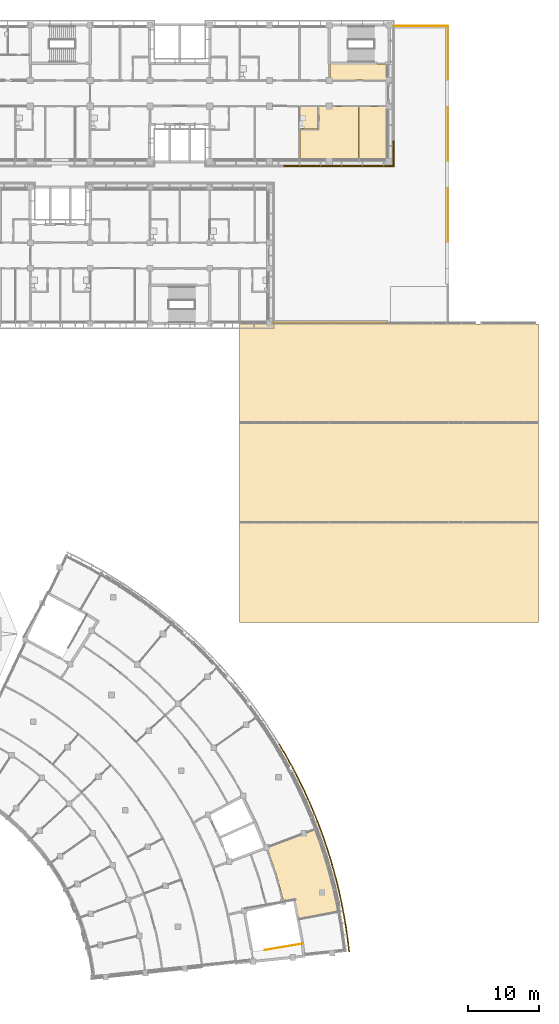
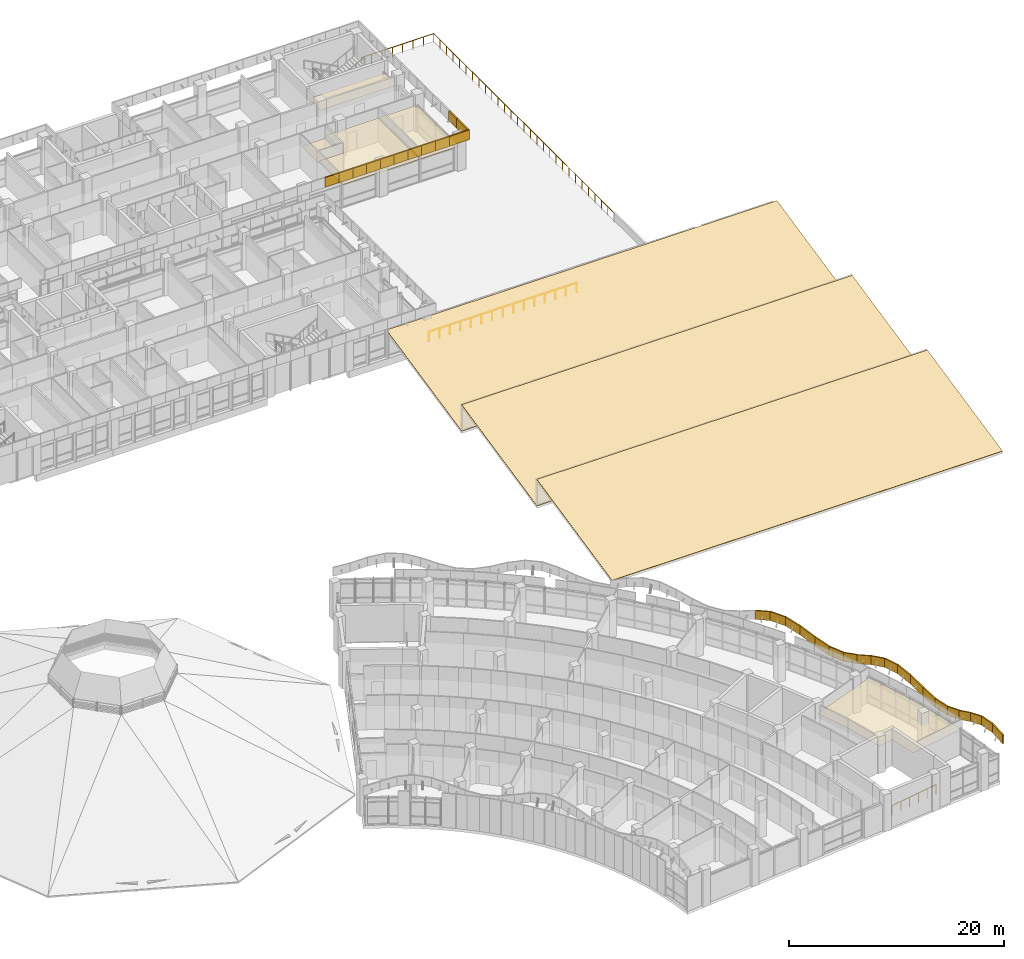
# One storey, part 132 of 137: 39 coverings, 3 railings.
"""IFC4 building model written with IfcOpenShell, lengths in metres."""

import ifcopenshell
import ifcopenshell.guid

model = None  # the IFC model being written
_history = None  # IfcOwnerHistory: only IFC2X3 demands one
_inside = {}  # id of a spatial element -> (the spatial element, [elements in it])
_under = {}  # id of a project, library or spatial element -> (it, [spatial elements below it])
_declared = {}  # id of a project -> (the project, [libraries it declares])
_typed = {}  # id of a type object -> (the type object, [elements of that type])
_made_of = {}  # id of a material, layer set ... -> (it, [elements and type objects made of it])


def new_model(schema):
    """Start an empty IFC model of exactly this schema.

    Asked for "IFC4X3", IfcOpenShell would pick the latest addendum, in which some entities
    have other attributes; the version numbers below select the first issue.
    IFC2X3 requires an IfcOwnerHistory on every rooted entity: one is made here for all.
    """
    global model, _history
    if schema == "IFC4X3":
        model = ifcopenshell.file(schema_version=(4, 3, 0, 0))
    else:
        model = ifcopenshell.file(schema=schema)
    _inside.clear()
    _under.clear()
    _declared.clear()
    _typed.clear()
    _made_of.clear()
    _history = None
    if model.schema == "IFC2X3":
        org = make("IfcOrganization", Name="unknown")
        user = make(
            "IfcPersonAndOrganization",
            ThePerson=make("IfcPerson", FamilyName="unknown"),
            TheOrganization=org,
        )
        app = make(
            "IfcApplication",
            ApplicationDeveloper=org,
            Version="unknown",
            ApplicationFullName="unknown",
            ApplicationIdentifier="unknown",
        )
        _history = make(
            "IfcOwnerHistory",
            OwningUser=user,
            OwningApplication=app,
            ChangeAction="ADDED",
            CreationDate=0,
        )
    return model


def make(cls, **values):
    """One entity of the class cls with the attributes given. An attribute that is None is left unset."""
    return model.create_entity(
        cls, **{name: value for name, value in values.items() if value is not None}
    )


def rooted(cls, **values):
    """An entity with a GlobalId (a new one), such as an element, a storey or a relation."""
    return make(cls, GlobalId=ifcopenshell.guid.new(), OwnerHistory=_history, **values)


def si_unit(unit_type, name, prefix=None):
    """IfcSIUnit, for example si_unit("LENGTHUNIT", "METRE", prefix="MILLI")."""
    return make("IfcSIUnit", UnitType=unit_type, Prefix=prefix, Name=name)


def assignment(units):
    """IfcUnitAssignment: the units of a project."""
    return None if units is None else make("IfcUnitAssignment", Units=units)


def point(xyz):
    """IfcCartesianPoint."""
    return None if xyz is None else make("IfcCartesianPoint", Coordinates=xyz)


def direction(xyz):
    """IfcDirection."""
    return None if xyz is None else make("IfcDirection", DirectionRatios=xyz)


def frame(location, z_axis=None, x_axis=None):
    """IfcAxis2Placement3D, a coordinate frame: its origin and axes. An axis left out is left unset."""
    return make(
        "IfcAxis2Placement3D",
        Location=point(location),
        Axis=direction(z_axis),
        RefDirection=direction(x_axis),
    )


def frame_2d(location, x_axis=None):
    """IfcAxis2Placement2D, a coordinate frame in the plane: its origin and x axis."""
    return make(
        "IfcAxis2Placement2D", Location=point(location), RefDirection=direction(x_axis)
    )


def origin():
    """The frame at (0, 0, 0) with its axes left unset."""
    return frame((0.0, 0.0, 0.0))


def origin_2d():
    """The frame at (0, 0) in the plane with its x axis left unset."""
    return frame_2d((0.0, 0.0))


def place(relative_to, where):
    """IfcLocalPlacement: puts the frame where relative to a parent placement (None: the world)."""
    return make(
        "IfcLocalPlacement", PlacementRelTo=relative_to, RelativePlacement=where
    )


def context(
    kind, dimensions, precision=None, world=None, true_north=None, identifier=None
):
    """IfcGeometricRepresentationContext, for example the 3D "Model" context."""
    return make(
        "IfcGeometricRepresentationContext",
        ContextIdentifier=identifier,
        ContextType=kind,
        CoordinateSpaceDimension=dimensions,
        Precision=precision,
        WorldCoordinateSystem=world,
        TrueNorth=true_north,
    )


def subcontext(parent, identifier, kind, view, scale=None):
    """IfcGeometricRepresentationSubContext, for example "Body" below "Model"."""
    return make(
        "IfcGeometricRepresentationSubContext",
        ContextIdentifier=identifier,
        ContextType=kind,
        ParentContext=parent,
        TargetScale=scale,
        TargetView=view,
    )


def project(units=None, contexts=None):
    """IfcProject with its units and contexts."""
    return rooted(
        "IfcProject",
        Name="project",
        RepresentationContexts=contexts,
        UnitsInContext=assignment(units),
    )


def spatial(cls, under=None, at=None, **own):
    """A site, building, storey or space (cls), placed at a placement, below another one or the project."""
    s = rooted(cls, ObjectPlacement=at, **own)
    if under is not None:
        _under.setdefault(under.id(), (under, []))[1].append(s)
    return s


def polyline(points):
    """IfcPolyline through the points."""
    return make("IfcPolyline", Points=[point(p) for p in points])


def profile(cls, at=None, kind="AREA", **sizes):
    """A parametric profile (cls). Its sizes go by their IFC names, for example OverallWidth=200.0."""
    return make(cls, ProfileType=kind, Position=at, **sizes)


def circle(**sizes):
    """IfcCircleProfileDef."""
    return profile("IfcCircleProfileDef", **sizes)


def outline(outer, holes=None, kind="AREA"):
    """IfcArbitraryClosedProfileDef: a profile drawn as a closed curve; with holes, ...WithVoids."""
    if holes is None:
        return make("IfcArbitraryClosedProfileDef", ProfileType=kind, OuterCurve=outer)
    return make(
        "IfcArbitraryProfileDefWithVoids",
        ProfileType=kind,
        OuterCurve=outer,
        InnerCurves=holes,
    )


def extrude(swept, where, along, depth):
    """IfcExtrudedAreaSolid: the profile swept, set in the frame where, extruded along a direction by depth."""
    return make(
        "IfcExtrudedAreaSolid",
        SweptArea=swept,
        Position=where,
        ExtrudedDirection=direction(along),
        Depth=depth,
    )


def shape(context_of_items, identifier, shape_type, items):
    """IfcShapeRepresentation: the items that make up one representation, for example the "Body"."""
    return make(
        "IfcShapeRepresentation",
        ContextOfItems=context_of_items,
        RepresentationIdentifier=identifier,
        RepresentationType=shape_type,
        Items=items,
    )


def material(Name=None, Category=None):
    """IfcMaterial."""
    return make("IfcMaterial", Name=Name, Category=Category)


def layer(
    of_material, thickness, ventilated=None, Name=None, Category=None, Priority=None
):
    """IfcMaterialLayer: one layer of a wall or slab, of a material (None: an air gap)."""
    return make(
        "IfcMaterialLayer",
        Material=of_material,
        LayerThickness=thickness,
        IsVentilated=ventilated,
        Name=Name,
        Category=Category,
        Priority=Priority,
    )


def layer_set(layers, Name=None):
    """IfcMaterialLayerSet."""
    return make("IfcMaterialLayerSet", MaterialLayers=layers, LayerSetName=Name)


def made_of(thing, what):
    """Note that an element or type object is made of a material, layer set ...; save() writes the relation."""
    if what is not None:
        _made_of.setdefault(what.id(), (what, []))[1].append(thing)
    return thing


def type_object(cls, material=None, **own):
    """A type object (cls), such as IfcWallType, which elements share."""
    return made_of(rooted(cls, **own), material)


def element(
    cls,
    number,
    at=None,
    inside=None,
    cuts=None,
    type_object=None,
    material=None,
    context=None,
    identifier="Body",
    shape_type=None,
    held_by="IfcProductDefinitionShape",
    body=None,
    shapes=None,
    **own,
):
    """One element of the class cls, such as IfcWall. Its Tag is "e" and its number.

    at: its placement. inside: the storey or other place that contains it. cuts: it is an
    opening in that element (IfcRelVoidsElement). A single representation is given by context,
    identifier, shape_type and body (its items); several are given by shapes. held_by: the class
    of the entity that holds the representations. save() writes the other relations.
    """
    e = rooted(cls, Tag="e%d" % number, ObjectPlacement=at, **own)
    if body is not None:
        shapes = [shape(context, identifier, shape_type, body)]
    if shapes is not None:
        e.Representation = make(held_by, Representations=shapes)
    if inside is not None:
        _inside.setdefault(inside.id(), (inside, []))[1].append(e)
    if cuts is not None:
        rooted(
            "IfcRelVoidsElement", RelatingBuildingElement=cuts, RelatedOpeningElement=e
        )
    if type_object is not None:
        _typed.setdefault(type_object.id(), (type_object, []))[1].append(e)
    return made_of(e, material)


def aggregate(whole, parts):
    """IfcRelAggregates: a whole, such as a stair, and the parts it consists of."""
    return rooted("IfcRelAggregates", RelatingObject=whole, RelatedObjects=parts)


def save(model, path):
    """Write the relations noted so far, then the file.

    IfcRelAggregates (storeys below a building ...), IfcRelContainedInSpatialStructure (elements
    in a storey), IfcRelDefinesByType, IfcRelAssociatesMaterial and IfcRelDeclares: one each for
    every whole, place, type object, material and project.
    """
    for whole, parts in _under.values():
        aggregate(whole, parts)
    for where, things in _inside.values():
        rooted(
            "IfcRelContainedInSpatialStructure",
            RelatedElements=things,
            RelatingStructure=where,
        )
    for kind, things in _typed.values():
        rooted("IfcRelDefinesByType", RelatedObjects=things, RelatingType=kind)
    for what, things in _made_of.values():
        rooted("IfcRelAssociatesMaterial", RelatedObjects=things, RelatingMaterial=what)
    for by, libraries in _declared.values():
        rooted("IfcRelDeclares", RelatingContext=by, RelatedDefinitions=libraries)
    model.write(path)


model = new_model("IFC4")

# Units and contexts
model_context = context("Model", 3, precision=1e-05, world=origin(), true_north=direction((0.0, 1.0)))
body_context = subcontext(model_context, "Body", "Model", "MODEL_VIEW")
ifc_project = project(units=[si_unit("LENGTHUNIT", "METRE"), si_unit("AREAUNIT", "SQUARE_METRE"), si_unit("VOLUMEUNIT", "CUBIC_METRE"), si_unit("PLANEANGLEUNIT", "RADIAN"), si_unit("MASSUNIT", "GRAM", prefix="KILO")], contexts=[model_context])

# Site, building, storey
site_placement = place(None, origin())
site = spatial("IfcSite", under=ifc_project, at=site_placement, CompositionType="ELEMENT")
building_placement = place(site_placement, origin())
building = spatial("IfcBuilding", under=site, at=building_placement, Name="Bougainvillea Quay General Hospital", CompositionType="ELEMENT")
storey_placement = place(building_placement, frame((0.0, 0.0, 16.800048828125)))
storey = spatial("IfcBuildingStorey", under=building, at=storey_placement, Name="L03", CompositionType="ELEMENT", Elevation=16.800048828125)

# Coverings
ifc_material_1 = material(Name="Powder-coated aluminium fascia, white", Category="aluminium")
ifc_layer_1 = layer(ifc_material_1, 0.14990234375)
ifc_layer_set_1 = layer_set([ifc_layer_1], Name="Powder-coated aluminium fascia, white")
covering_type_1 = type_object("IfcCoveringType", Name="Aluminium fascia band white 150x1100", PredefinedType="CLADDING", material=ifc_layer_set_1)
covering_1_placement = place(storey_placement, frame((169.9765625, 139.85009765625, 3.64990234375), z_axis=(0.0, 0.0, 1.0), x_axis=(1.0, 0.0, 0.0)))
element("IfcCovering", 1, at=covering_1_placement, inside=storey, type_object=covering_type_1, Name="Fascia band white e0 30", PredefinedType="CLADDING", context=body_context, shape_type="SweptSolid", body=[
    extrude(outline(polyline([(0.0, 0.0), (1.482177734375, 0.0), (1.482177734375, -0.150146484375), (0.0, -0.150146484375), (0.0, 0.0)])), origin(), (0.0, 0.0, 1.0), 1.10009765625),
])
for number, where, z_axis, x_axis, name in (
    (2, (171.458740234375, 139.85009765625, 3.64990234375), (0.0, 0.0, 1.0), (1.0, 0.0, 0.0), "Fascia band white e0 31"),
    (3, (172.941162109375, 139.85009765625, 3.64990234375), (0.0, 0.0, 1.0), (1.0, 0.0, 0.0), "Fascia band white e0 32"),
):
    element("IfcCovering", number, at=place(storey_placement, frame(where, z_axis=z_axis, x_axis=x_axis)), inside=storey, type_object=covering_type_1, Name=name, PredefinedType="CLADDING", context=body_context, shape_type="SweptSolid", body=[
        extrude(outline(polyline([(0.0, 0.0), (1.482421875, 0.0), (1.482421875, -0.150146484375), (0.0, -0.150146484375), (0.0, 0.0)])), origin(), (0.0, 0.0, 1.0), 1.10009765625),
    ])
covering_2_placement = place(storey_placement, frame((174.423583984375, 139.85009765625, 3.64990234375), z_axis=(0.0, 0.0, 1.0), x_axis=(1.0, 0.0, 0.0)))
element("IfcCovering", 4, at=covering_2_placement, inside=storey, type_object=covering_type_1, Name="Fascia band white e0 33", PredefinedType="CLADDING", context=body_context, shape_type="SweptSolid", body=[
    extrude(outline(polyline([(0.0, 0.0), (1.482177734375, 0.0), (1.482177734375, -0.150146484375), (0.0, -0.150146484375), (0.0, 0.0)])), origin(), (0.0, 0.0, 1.0), 1.10009765625),
])
for number, where, z_axis, x_axis, name in (
    (5, (175.90576171875, 139.85009765625, 3.64990234375), (0.0, 0.0, 1.0), (1.0, 0.0, 0.0), "Fascia band white e0 34"),
    (6, (177.38818359375, 139.85009765625, 3.64990234375), (0.0, 0.0, 1.0), (1.0, 0.0, 0.0), "Fascia band white e0 35"),
    (7, (178.87060546875, 139.85009765625, 3.64990234375), (0.0, 0.0, 1.0), (1.0, 0.0, 0.0), "Fascia band white e0 36"),
):
    element("IfcCovering", number, at=place(storey_placement, frame(where, z_axis=z_axis, x_axis=x_axis)), inside=storey, type_object=covering_type_1, Name=name, PredefinedType="CLADDING", context=body_context, shape_type="SweptSolid", body=[
        extrude(outline(polyline([(0.0, 0.0), (1.482421875, 0.0), (1.482421875, -0.150146484375), (0.0, -0.150146484375), (0.0, 0.0)])), origin(), (0.0, 0.0, 1.0), 1.10009765625),
    ])
covering_3_placement = place(storey_placement, frame((180.35302734375, 139.85009765625, 3.64990234375), z_axis=(0.0, 0.0, 1.0), x_axis=(1.0, 0.0, 0.0)))
element("IfcCovering", 8, at=covering_3_placement, inside=storey, type_object=covering_type_1, Name="Fascia band white e0 37", PredefinedType="CLADDING", context=body_context, shape_type="SweptSolid", body=[
    extrude(outline(polyline([(0.0, 0.0), (1.482177734375, 0.0), (1.482177734375, -0.150146484375), (0.0, -0.150146484375), (0.0, 0.0)])), origin(), (0.0, 0.0, 1.0), 1.10009765625),
])
covering_4_placement = place(storey_placement, frame((181.835205078125, 139.85009765625, 3.64990234375), z_axis=(0.0, 0.0, 1.0), x_axis=(1.0, 0.0, 0.0)))
element("IfcCovering", 9, at=covering_4_placement, inside=storey, type_object=covering_type_1, Name="Fascia band white e0 38", PredefinedType="CLADDING", context=body_context, shape_type="SweptSolid", body=[
    extrude(outline(polyline([(0.0, 0.0), (1.482421875, 0.0), (1.482421875, -0.150146484375), (0.0, -0.150146484375), (0.0, 0.0)])), origin(), (0.0, 0.0, 1.0), 1.10009765625),
])
covering_5_placement = place(storey_placement, frame((183.317626953125, 139.85009765625, 3.64990234375), z_axis=(0.0, 0.0, 1.0), x_axis=(1.0, 0.0, 0.0)))
element("IfcCovering", 10, at=covering_5_placement, inside=storey, type_object=covering_type_1, Name="Fascia band white e0 39", PredefinedType="CLADDING", context=body_context, shape_type="SweptSolid", body=[
    extrude(outline(polyline([(0.0, 0.0), (2.032470703125, 0.0), (2.182373046875, -0.150146484375), (0.0, -0.150146484375), (0.0, 0.0)])), origin(), (0.0, 0.0, 1.0), 1.10009765625),
])
covering_6_placement = place(storey_placement, frame((185.35009765625, 139.85009765625, 3.64990234375), z_axis=(0.0, 0.0, 1.0), x_axis=(0.0, 1.0, 0.0)))
element("IfcCovering", 11, at=covering_6_placement, inside=storey, type_object=covering_type_1, Name="Fascia band white e0 40", PredefinedType="CLADDING", context=body_context, shape_type="SweptSolid", body=[
    extrude(outline(polyline([(0.0, 0.0), (2.02685546875, 0.0), (2.02685546875, -0.14990234375), (-0.150146484375, -0.14990234375), (0.0, 0.0)])), origin(), (0.0, 0.0, 1.0), 1.10009765625),
])
covering_7_placement = place(storey_placement, frame((185.35009765625, 141.876953125, 3.64990234375), z_axis=(0.0, 0.0, 1.0), x_axis=(0.0, 1.0, 0.0)))
element("IfcCovering", 12, at=covering_7_placement, inside=storey, type_object=covering_type_1, Name="Fascia band white e0 41", PredefinedType="CLADDING", context=body_context, shape_type="SweptSolid", body=[
    extrude(outline(polyline([(0.0, 0.0), (1.476806640625, 0.0), (1.476806640625, -0.14990234375), (0.0, -0.14990234375), (0.0, 0.0)])), origin(), (0.0, 0.0, 1.0), 1.10009765625),
])
ifc_material_2 = material(Name="Powder-coated aluminium fascia, red", Category="aluminium")
ifc_layer_2 = layer(ifc_material_2, 0.14990234375)
ifc_layer_set_2 = layer_set([ifc_layer_2], Name="Powder-coated aluminium fascia, red")
covering_type_2 = type_object("IfcCoveringType", Name="Aluminium wave fascia ribbon red 150x1000", PredefinedType="CLADDING", material=ifc_layer_set_2)
covering_8_placement = place(storey_placement, frame((179.114990234375, 29.351806640625, 4.09521484375), z_axis=(0.026336487624, -0.222182310598, 0.974649378124), x_axis=(-0.113132941126, 0.968061194827, 0.223737481668)))
element("IfcCovering", 13, at=covering_8_placement, inside=storey, type_object=covering_type_2, Name="Fascia ribbon red a14 1", PredefinedType="CLADDING", context=body_context, shape_type="SweptSolid", body=[
    extrude(outline(polyline([(0.0, 0.0), (1.670306707568748, 1.3145951341386741e-17), (1.6719476784162979, -0.15012955996561012), (-6.805401706312317e-05, -0.1499311364603613), (0.0, 0.0)])), origin(), (0.223737481668, 0.000359193413, 0.974649378124), 1.0),
])
covering_9_placement = place(storey_placement, frame((178.926025390625, 30.96875, 4.468994140625), z_axis=(-0.005653779579, 0.040237717826, 0.999174139397), x_axis=(-0.138938170904, 0.989467101788, -0.040632981011)))
element("IfcCovering", 14, at=covering_9_placement, inside=storey, type_object=covering_type_2, Name="Fascia ribbon red a14 2", PredefinedType="CLADDING", context=body_context, shape_type="SweptSolid", body=[
    extrude(outline(polyline([(0.0, 0.0), (1.6324316594315826, -2.1541741914571366e-17), (1.6343078729881122, -0.14991086158264344), (-0.0018490845488235985, -0.15012694004847218), (0.0, 0.0)])), origin(), (-0.040632981011, -3.673979e-06, 0.999174139397), 1.0),
])
covering_10_placement = place(storey_placement, frame((178.69921875, 32.583984375, 4.40234375), z_axis=(-0.044830982763, 0.273040960347, 0.960957239921), x_axis=(-0.155741256284, 0.948252855629, -0.276696915204)))
element("IfcCovering", 15, at=covering_10_placement, inside=storey, type_object=covering_type_2, Name="Fascia ribbon red a14 3", PredefinedType="CLADDING", context=body_context, shape_type="SweptSolid", body=[
    extrude(outline(polyline([(0.0, 0.0), (1.6977080018121655, -5.251604272976662e-18), (1.699379080053145, -0.14994650107524998), (-0.0016847707083750105, -0.14991394757579837), (0.0, 0.0)])), origin(), (-0.276696915204, 1.2634756e-05, 0.960957239921), 1.0),
])
covering_11_placement = place(storey_placement, frame((178.434814453125, 34.19384765625, 3.93212890625), z_axis=(-0.064044750365, 0.340819640707, 0.937944690512), x_axis=(-0.173377950945, 0.921781064924, -0.346784882131)))
element("IfcCovering", 16, at=covering_11_placement, inside=storey, type_object=covering_type_2, Name="Fascia ribbon red a14 4", PredefinedType="CLADDING", context=body_context, shape_type="SweptSolid", body=[
    extrude(outline(polyline([(0.0, 0.0), (1.7390368409590689, 1.1878790052294308e-17), (1.7409970360475628, -0.15014043002569438), (-0.002008110860853608, -0.14994335460490757), (0.0, 0.0)])), origin(), (-0.346784882131, 5.5372754e-05, 0.937944690512), 1.0),
])
covering_12_placement = place(storey_placement, frame((178.13330078125, 35.796875, 3.32861328125), z_axis=(-0.04903638715, 0.22733001949, 0.972582384672), x_axis=(-0.20186565797, 0.951402824061, -0.232557353143)))
element("IfcCovering", 17, at=covering_12_placement, inside=storey, type_object=covering_type_2, Name="Fascia ribbon red a14 5", PredefinedType="CLADDING", context=body_context, shape_type="SweptSolid", body=[
    extrude(outline(polyline([(0.0, 0.0), (1.6774742624058594, 1.1655173354219173e-17), (1.6791351527020228, -0.14984581204008537), (-0.0017261632692913648, -0.15014231532609396), (0.0, 0.0)])), origin(), (-0.232557353143, -0.000763233256, 0.972582384672), 1.0),
])
covering_13_placement = place(storey_placement, frame((177.794677734375, 37.392822265625, 2.9384765625), z_axis=(0.007399393326, -0.027810954647, 0.999585814115), x_axis=(-0.230236764536, 0.972709341497, 0.028767502854)))
element("IfcCovering", 18, at=covering_13_placement, inside=storey, type_object=covering_type_2, Name="Fascia ribbon red a14 6", PredefinedType="CLADDING", context=body_context, shape_type="SweptSolid", body=[
    extrude(outline(polyline([(0.0, 0.0), (1.6319369823199235, 1.4026865606531214e-17), (1.633582458608592, -0.14991794720076418), (-0.0018548676023032954, -0.1498435219483209), (0.0, 0.0)])), origin(), (0.028767502854, 0.000794354793, 0.999585814115), 1.0),
])
covering_14_placement = place(storey_placement, frame((177.4189453125, 38.980224609375, 2.985595703125), z_axis=(0.068059836902, -0.261042406699, 0.962925085614), x_axis=(-0.243397744031, 0.931655663481, 0.269768906483)))
element("IfcCovering", 19, at=covering_14_placement, inside=storey, type_object=covering_type_2, Name="Fascia ribbon red a14 7", PredefinedType="CLADDING", context=body_context, shape_type="SweptSolid", body=[
    extrude(outline(polyline([(0.0, 0.0), (1.6941552849138166, -3.279711571768651e-17), (1.695896713889935, -0.15007126264232437), (-0.0018846569972102534, -0.14991594352680382), (0.0, 0.0)])), origin(), (0.269768906483, -0.000128800382, 0.962925085614), 1.0),
])
covering_15_placement = place(storey_placement, frame((177.006591796875, 40.55859375, 3.443115234375), z_axis=(0.094609139072, -0.334335568561, 0.937693360539), x_axis=(-0.257937911563, 0.901519698479, 0.347462612426)))
element("IfcCovering", 20, at=covering_15_placement, inside=storey, type_object=covering_type_2, Name="Fascia ribbon red a14 8", PredefinedType="CLADDING", context=body_context, shape_type="SweptSolid", body=[
    extrude(outline(polyline([(0.0, 0.0), (1.7396899054797184, 1.4094628242311558e-18), (1.741433275370345, -0.1497692805524778), (-0.0018569129951555782, -0.15006987727497006), (0.0, 0.0)])), origin(), (0.347462612426, -0.000945815786, 0.937693360539), 1.0),
])
covering_16_placement = place(storey_placement, frame((176.557861328125, 42.126953125, 4.04833984375), z_axis=(0.072295978103, -0.229678368713, 0.970577734391), x_axis=(-0.288779497013, 0.926621811922, 0.240787083907)))
element("IfcCovering", 21, at=covering_16_placement, inside=storey, type_object=covering_type_2, Name="Fascia ribbon red a14 9", PredefinedType="CLADDING", context=body_context, shape_type="SweptSolid", body=[
    extrude(outline(polyline([(0.0, 0.0), (1.6807224520083506, -7.768308565858639e-17), (1.6825200412653107, -0.15015574289007727), (-0.001983667315691713, -0.14976526847951774), (0.0, 0.0)])), origin(), (0.240787083907, 0.000664626433, 0.970577734391), 1.0),
])
covering_17_placement = place(storey_placement, frame((176.072509765625, 43.684326171875, 4.453125), z_axis=(-0.006145896549, 0.015674583262, 0.999858257652), x_axis=(-0.319323629981, 0.947496503305, -0.016816526441)))
element("IfcCovering", 22, at=covering_17_placement, inside=storey, type_object=covering_type_2, Name="Fascia ribbon red a14 10", PredefinedType="CLADDING", context=body_context, shape_type="SweptSolid", body=[
    extrude(outline(polyline([(0.0, 0.0), (1.6315595547521518, 8.595012722378836e-17), (1.633301274669612, -0.15001402598422733), (-0.0016593760833463385, -0.15015733275995988), (0.0, 0.0)])), origin(), (-0.016816526441, -0.000817950664, 0.999858257652), 1.0),
])
covering_18_placement = place(storey_placement, frame((175.551513671875, 45.230224609375, 4.425537109375), z_axis=(-0.089541431954, 0.246826620303, 0.964913960659), x_axis=(-0.329416361602, 0.906942016973, -0.262566255559)))
element("IfcCovering", 23, at=covering_18_placement, inside=storey, type_object=covering_type_2, Name="Fascia ribbon red a14 11", PredefinedType="CLADDING", context=body_context, shape_type="SweptSolid", body=[
    extrude(outline(polyline([(0.0, 0.0), (1.6905127050804165, 9.589768215634287e-17), (1.692224179752352, -0.1499500204843006), (-0.001825535350254706, -0.15001385113704058), (0.0, 0.0)])), origin(), (-0.262566255559, 9.9840308e-05, 0.964913960659), 1.0),
])
covering_19_placement = place(storey_placement, frame((174.99462890625, 46.763427734375, 3.98095703125), z_axis=(-0.126259094364, 0.324140500106, 0.937545506779), x_axis=(-0.340392095025, 0.873570146252, -0.347862647063)))
element("IfcCovering", 24, at=covering_19_placement, inside=storey, type_object=covering_type_2, Name="Fascia ribbon red a14 12", PredefinedType="CLADDING", context=body_context, shape_type="SweptSolid", body=[
    extrude(outline(polyline([(0.0, 0.0), (1.7399879040930275, 1.489659903677193e-16), (1.7419266803173041, -0.1500513554955977), (-0.0019721413550769108, -0.14994780420916895), (0.0, 0.0)])), origin(), (-0.347862647063, 3.8688384e-05, 0.937545506779), 1.0),
])
covering_20_placement = place(storey_placement, frame((174.40234375, 48.283447265625, 3.375), z_axis=(-0.095763231593, 0.229588804707, 0.968565116153), x_axis=(-0.372525044331, 0.894060111942, -0.248760140659)))
element("IfcCovering", 25, at=covering_20_placement, inside=storey, type_object=covering_type_2, Name="Fascia ribbon red a14 13", PredefinedType="CLADDING", context=body_context, shape_type="SweptSolid", body=[
    extrude(outline(polyline([(0.0, 0.0), (1.6842833339255225, 3.495196753550145e-17), (1.6861510103123405, -0.14992112085523618), (-0.0017585375496728952, -0.15005258838684024), (0.0, 0.0)])), origin(), (-0.248760140659, -9.0505906e-05, 0.968565116153), 1.0),
])
covering_21_placement = place(storey_placement, frame((173.77490234375, 49.789306640625, 2.955810546875), z_axis=(0.00194421013, -0.004371550634, 0.999988554731), x_axis=(-0.405911611583, 0.913899815724, 0.004784391544)))
element("IfcCovering", 26, at=covering_21_placement, inside=storey, type_object=covering_type_2, Name="Fascia ribbon red a14 14", PredefinedType="CLADDING", context=body_context, shape_type="SweptSolid", body=[
    extrude(outline(polyline([(0.0, 0.0), (1.6311664223512834, -7.921452122722217e-18), (1.6329876317170537, -0.14987219135777036), (-0.0016739486600854253, -0.14992261863970852), (0.0, 0.0)])), origin(), (0.004784391544, 2.350117e-06, 0.999988554731), 1.0),
])
covering_22_placement = place(storey_placement, frame((173.11279296875, 51.280029296875, 2.9638671875), z_axis=(0.109003573773, -0.23067232469, 0.966906665365), x_axis=(-0.412973836568, 0.874277479557, 0.255130356973)))
element("IfcCovering", 27, at=covering_22_placement, inside=storey, type_object=covering_type_2, Name="Fascia ribbon red a14 15", PredefinedType="CLADDING", context=body_context, shape_type="SweptSolid", body=[
    extrude(outline(polyline([(0.0, 0.0), (1.6872086622055478, 7.599579602765583e-18), (1.6889948856168175, -0.1501257298940395), (-0.001741852234476532, -0.1498739250911298), (0.0, 0.0)])), origin(), (0.255130356973, 3.7734824e-05, 0.966906665365), 1.0),
])
covering_23_placement = place(storey_placement, frame((172.416015625, 52.755126953125, 3.394775390625), z_axis=(0.156031807551, -0.311214077129, 0.937443264005), x_axis=(-0.419798506755, 0.838193954834, 0.348138058543)))
element("IfcCovering", 28, at=covering_23_placement, inside=storey, type_object=covering_type_2, Name="Fascia ribbon red a14 16", PredefinedType="CLADDING", context=body_context, shape_type="SweptSolid", body=[
    extrude(outline(polyline([(0.0, 0.0), (1.7400240091880317, -1.6490715043504522e-16), (1.7420272134728507, -0.15001872595880264), (-0.0018844762111249178, -0.15012551474299649), (0.0, 0.0)])), origin(), (0.348138058543, 0.000137712991, 0.937443264005), 1.0),
])
covering_24_placement = place(storey_placement, frame((171.685546875, 54.213623046875, 4.0009765625), z_axis=(0.120247245375, -0.226716160551, 0.966509380464), x_axis=(-0.452882317447, 0.853837214629, 0.256631286982)))
element("IfcCovering", 29, at=covering_24_placement, inside=storey, type_object=covering_type_2, Name="Fascia ribbon red a14 17", PredefinedType="CLADDING", context=body_context, shape_type="SweptSolid", body=[
    extrude(outline(polyline([(0.0, 0.0), (1.6878514445773816, -7.458633320342467e-17), (1.6895567551862136, -0.15010006378495913), (-0.0017101839292928225, -0.15002136202594057), (0.0, 0.0)])), origin(), (0.256631286982, -4.167135e-06, 0.966509380464), 1.0),
])
covering_25_placement = place(storey_placement, frame((170.921142578125, 55.65478515625, 4.434326171875), z_axis=(0.003509003405, -0.006258987771, 0.999974255652), x_axis=(-0.488791296859, 0.872371239832, 0.007175515976)))
element("IfcCovering", 30, at=covering_25_placement, inside=storey, type_object=covering_type_2, Name="Fascia ribbon red a14 18", PredefinedType="CLADDING", context=body_context, shape_type="SweptSolid", body=[
    extrude(outline(polyline([(0.0, 0.0), (1.6312960833220003, 9.438996351023021e-17), (1.6331957416958962, -0.149945370945352), (-0.0018237685042003376, -0.15009788533581492), (0.0, 0.0)])), origin(), (0.007175515976, 1.814902e-06, 0.999974255652), 1.0),
])
covering_26_placement = place(storey_placement, frame((170.123779296875, 57.077880859375, 4.44580078125), z_axis=(-0.126069934241, 0.212868882577, 0.968913417448), x_axis=(-0.49313935552, 0.83403046478, -0.247399999709)))
element("IfcCovering", 31, at=covering_26_placement, inside=storey, type_object=covering_type_2, Name="Fascia ribbon red a14 19", PredefinedType="CLADDING", context=body_context, shape_type="SweptSolid", body=[
    extrude(outline(polyline([(0.0, 0.0), (1.6837340285747546, -4.790818349670323e-17), (1.6856022797016967, -0.14996900900245191), (-0.0016595665158406765, -0.14994900645743095), (0.0, 0.0)])), origin(), (-0.247399999709, -0.000172142286, 0.968913417448), 1.0),
])

# Railings
ifc_material_3 = material(Name="Stainless steel guard, brushed grade 316", Category="steel")
railing_type_1 = type_object("IfcRailingType", Name="Stainless steel guard 1100", PredefinedType="GUARDRAIL", material=ifc_material_3)
railing_1_placement = place(storey_placement, frame((184.35009765625, 117.75, 0.0)))
element("IfcRailing", 32, at=railing_1_placement, inside=storey, type_object=railing_type_1, Name="Guard G00", PredefinedType="GUARDRAIL", context=body_context, shape_type="SweptSolid", body=[
    extrude(circle(Radius=0.02392578125, at=origin_2d()), frame((0.0, 0.0, 1.076171875), z_axis=(-1.0, 0.0, 0.0), x_axis=(0.0, -1.0, 0.0)), (0.0, 0.0, 1.0), 15.900146484375),
    extrude(circle(Radius=0.02099609375, at=origin_2d()), origin(), (0.0, 0.0, 1.0), 1.052001953125),
    extrude(circle(Radius=0.02099609375, at=origin_2d()), frame((-1.1357421875, 0.0, 0.0)), (0.0, 0.0, 1.0), 1.052001953125),
    extrude(circle(Radius=0.02099609375, at=origin_2d()), frame((-2.271484375, 0.0, 0.0)), (0.0, 0.0, 1.0), 1.052001953125),
    extrude(circle(Radius=0.02099609375, at=origin_2d()), frame((-3.4072265625, 0.0, 0.0)), (0.0, 0.0, 1.0), 1.052001953125),
    extrude(circle(Radius=0.02099609375, at=origin_2d()), frame((-4.54296875, 0.0, 0.0)), (0.0, 0.0, 1.0), 1.052001953125),
    extrude(circle(Radius=0.02099609375, at=origin_2d()), frame((-5.6787109375, 0.0, 0.0)), (0.0, 0.0, 1.0), 1.052001953125),
    extrude(circle(Radius=0.02099609375, at=origin_2d()), frame((-6.814453125, 0.0, 0.0)), (0.0, 0.0, 1.0), 1.052001953125),
    extrude(circle(Radius=0.02099609375, at=origin_2d()), frame((-7.9501953125, 0.0, 0.0)), (0.0, 0.0, 1.0), 1.052001953125),
    extrude(circle(Radius=0.02099609375, at=origin_2d()), frame((-9.085693359375, 0.0, 0.0)), (0.0, 0.0, 1.0), 1.052001953125),
    extrude(circle(Radius=0.02099609375, at=origin_2d()), frame((-10.221435546875, 0.0, 0.0)), (0.0, 0.0, 1.0), 1.052001953125),
    extrude(circle(Radius=0.02099609375, at=origin_2d()), frame((-11.357177734375, 0.0, 0.0)), (0.0, 0.0, 1.0), 1.052001953125),
    extrude(circle(Radius=0.02099609375, at=origin_2d()), frame((-12.492919921875, 0.0, 0.0)), (0.0, 0.0, 1.0), 1.052001953125),
    extrude(circle(Radius=0.02099609375, at=origin_2d()), frame((-13.628662109375, 0.0, 0.0)), (0.0, 0.0, 1.0), 1.052001953125),
    extrude(circle(Radius=0.02099609375, at=origin_2d()), frame((-14.764404296875, 0.0, 0.0)), (0.0, 0.0, 1.0), 1.052001953125),
    extrude(circle(Radius=0.02099609375, at=origin_2d()), frame((-15.900146484375, 0.0, 0.0)), (0.0, 0.0, 1.0), 1.052001953125),
])
railing_2_placement = place(storey_placement, frame((185.25, 159.449951171875, 0.0)))
element("IfcRailing", 33, at=railing_2_placement, inside=storey, type_object=railing_type_1, Name="Guard G02", PredefinedType="GUARDRAIL", context=body_context, shape_type="SweptSolid", body=[
    extrude(circle(Radius=0.02392578125, at=origin_2d()), frame((0.0, 0.0, 1.076171875), z_axis=(1.0, 0.0, 0.0), x_axis=(0.0, 1.0, 0.0)), (0.0, 0.0, 1.0), 7.800048828125),
    extrude(circle(Radius=0.02392578125, at=origin_2d()), frame((7.800048828125, 0.0, 1.076171875), z_axis=(0.0, -1.0, 0.0), x_axis=(1.0, 0.0, 0.0)), (0.0, 0.0, 1.0), 33.599853515625),
    extrude(circle(Radius=0.02099609375, at=origin_2d()), origin(), (0.0, 0.0, 1.0), 1.052001953125),
    extrude(circle(Radius=0.02099609375, at=origin_2d()), frame((1.1142578125, 0.0, 0.0)), (0.0, 0.0, 1.0), 1.052001953125),
    extrude(circle(Radius=0.02099609375, at=origin_2d()), frame((2.228515625, 0.0, 0.0)), (0.0, 0.0, 1.0), 1.052001953125),
    extrude(circle(Radius=0.02099609375, at=origin_2d()), frame((3.3427734375, 0.0, 0.0)), (0.0, 0.0, 1.0), 1.052001953125),
    extrude(circle(Radius=0.02099609375, at=origin_2d()), frame((4.457275390625, 0.0, 0.0)), (0.0, 0.0, 1.0), 1.052001953125),
    extrude(circle(Radius=0.02099609375, at=origin_2d()), frame((5.571533203125, 0.0, 0.0)), (0.0, 0.0, 1.0), 1.052001953125),
    extrude(circle(Radius=0.02099609375, at=origin_2d()), frame((6.685791015625, 0.0, 0.0)), (0.0, 0.0, 1.0), 1.052001953125),
    extrude(circle(Radius=0.02099609375, at=origin_2d()), frame((7.800048828125, 0.0, 0.0)), (0.0, 0.0, 1.0), 1.052001953125),
    extrude(circle(Radius=0.02099609375, at=origin_2d()), frame((7.800048828125, -1.199951171875, 0.0)), (0.0, 0.0, 1.0), 1.052001953125),
    extrude(circle(Radius=0.02099609375, at=origin_2d()), frame((7.800048828125, -2.39990234375, 0.0)), (0.0, 0.0, 1.0), 1.052001953125),
    extrude(circle(Radius=0.02099609375, at=origin_2d()), frame((7.800048828125, -3.60009765625, 0.0)), (0.0, 0.0, 1.0), 1.052001953125),
    extrude(circle(Radius=0.02099609375, at=origin_2d()), frame((7.800048828125, -4.800048828125, 0.0)), (0.0, 0.0, 1.0), 1.052001953125),
    extrude(circle(Radius=0.02099609375, at=origin_2d()), frame((7.800048828125, -6.0, 0.0)), (0.0, 0.0, 1.0), 1.052001953125),
    extrude(circle(Radius=0.02099609375, at=origin_2d()), frame((7.800048828125, -7.199951171875, 0.0)), (0.0, 0.0, 1.0), 1.052001953125),
    extrude(circle(Radius=0.02099609375, at=origin_2d()), frame((7.800048828125, -8.39990234375, 0.0)), (0.0, 0.0, 1.0), 1.052001953125),
    extrude(circle(Radius=0.02099609375, at=origin_2d()), frame((7.800048828125, -9.599853515625, 0.0)), (0.0, 0.0, 1.0), 1.052001953125),
    extrude(circle(Radius=0.02099609375, at=origin_2d()), frame((7.800048828125, -10.800048828125, 0.0)), (0.0, 0.0, 1.0), 1.052001953125),
    extrude(circle(Radius=0.02099609375, at=origin_2d()), frame((7.800048828125, -12.0, 0.0)), (0.0, 0.0, 1.0), 1.052001953125),
    extrude(circle(Radius=0.02099609375, at=origin_2d()), frame((7.800048828125, -13.199951171875, 0.0)), (0.0, 0.0, 1.0), 1.052001953125),
    extrude(circle(Radius=0.02099609375, at=origin_2d()), frame((7.800048828125, -14.39990234375, 0.0)), (0.0, 0.0, 1.0), 1.052001953125),
    extrude(circle(Radius=0.02099609375, at=origin_2d()), frame((7.800048828125, -15.599853515625, 0.0)), (0.0, 0.0, 1.0), 1.052001953125),
    extrude(circle(Radius=0.02099609375, at=origin_2d()), frame((7.800048828125, -16.7998046875, 0.0)), (0.0, 0.0, 1.0), 1.052001953125),
    extrude(circle(Radius=0.02099609375, at=origin_2d()), frame((7.800048828125, -18.0, 0.0)), (0.0, 0.0, 1.0), 1.052001953125),
    extrude(circle(Radius=0.02099609375, at=origin_2d()), frame((7.800048828125, -19.199951171875, 0.0)), (0.0, 0.0, 1.0), 1.052001953125),
    extrude(circle(Radius=0.02099609375, at=origin_2d()), frame((7.800048828125, -20.39990234375, 0.0)), (0.0, 0.0, 1.0), 1.052001953125),
    extrude(circle(Radius=0.02099609375, at=origin_2d()), frame((7.800048828125, -21.599853515625, 0.0)), (0.0, 0.0, 1.0), 1.052001953125),
    extrude(circle(Radius=0.02099609375, at=origin_2d()), frame((7.800048828125, -22.7998046875, 0.0)), (0.0, 0.0, 1.0), 1.052001953125),
    extrude(circle(Radius=0.02099609375, at=origin_2d()), frame((7.800048828125, -24.0, 0.0)), (0.0, 0.0, 1.0), 1.052001953125),
    extrude(circle(Radius=0.02099609375, at=origin_2d()), frame((7.800048828125, -25.199951171875, 0.0)), (0.0, 0.0, 1.0), 1.052001953125),
    extrude(circle(Radius=0.02099609375, at=origin_2d()), frame((7.800048828125, -26.39990234375, 0.0)), (0.0, 0.0, 1.0), 1.052001953125),
    extrude(circle(Radius=0.02099609375, at=origin_2d()), frame((7.800048828125, -27.599853515625, 0.0)), (0.0, 0.0, 1.0), 1.052001953125),
    extrude(circle(Radius=0.02099609375, at=origin_2d()), frame((7.800048828125, -28.7998046875, 0.0)), (0.0, 0.0, 1.0), 1.052001953125),
    extrude(circle(Radius=0.02099609375, at=origin_2d()), frame((7.800048828125, -29.999755859375, 0.0)), (0.0, 0.0, 1.0), 1.052001953125),
    extrude(circle(Radius=0.02099609375, at=origin_2d()), frame((7.800048828125, -31.199951171875, 0.0)), (0.0, 0.0, 1.0), 1.052001953125),
    extrude(circle(Radius=0.02099609375, at=origin_2d()), frame((7.800048828125, -32.39990234375, 0.0)), (0.0, 0.0, 1.0), 1.052001953125),
    extrude(circle(Radius=0.02099609375, at=origin_2d()), frame((7.800048828125, -33.599853515625, 0.0)), (0.0, 0.0, 1.0), 1.052001953125),
])
ifc_material_4 = material(Name="Stainless steel 304 balustrade", Category="steel")
railing_type_2 = type_object("IfcRailingType", Name="Stair guard 1100", PredefinedType="GUARDRAIL", material=ifc_material_4)
railing_3_placement = place(storey_placement, frame((172.583251953125, 30.4599609375, 0.0)))
element("IfcRailing", 34, at=railing_3_placement, inside=storey, type_object=railing_type_2, Name="L03 ST-E2 top well guard 1", PredefinedType="GUARDRAIL", context=body_context, shape_type="SweptSolid", body=[
    extrude(circle(Radius=0.02392578125, at=origin_2d()), frame((0.0, 0.0, 1.076171875), z_axis=(-0.985831366327, -0.16773943235, 0.0), x_axis=(0.16773943235, -0.985831366327, 0.0)), (0.0, 0.0, 1.0), 5.30810546875),
    extrude(circle(Radius=0.02099609375, at=origin_2d()), origin(), (0.0, 0.0, 1.0), 1.052001953125),
    extrude(circle(Radius=0.02099609375, at=origin_2d()), frame((-1.046630859375, -0.177978515625, 0.0)), (0.0, 0.0, 1.0), 1.052001953125),
    extrude(circle(Radius=0.02099609375, at=origin_2d()), frame((-2.09326171875, -0.356201171875, 0.0)), (0.0, 0.0, 1.0), 1.052001953125),
    extrude(circle(Radius=0.02099609375, at=origin_2d()), frame((-3.1396484375, -0.5341796875, 0.0)), (0.0, 0.0, 1.0), 1.052001953125),
    extrude(circle(Radius=0.02099609375, at=origin_2d()), frame((-4.186279296875, -0.71240234375, 0.0)), (0.0, 0.0, 1.0), 1.052001953125),
    extrude(circle(Radius=0.02099609375, at=origin_2d()), frame((-5.23291015625, -0.890380859375, 0.0)), (0.0, 0.0, 1.0), 1.052001953125),
])

# Coverings
ifc_material_5 = material(Name="Standing seam zinc-titanium roofing, grey")
ifc_layer_3 = layer(ifc_material_5, 0.0400390625)
ifc_layer_set_3 = layer_set([ifc_layer_3], Name="Standing seam zinc-titanium roofing, grey")
covering_type_3 = type_object("IfcCoveringType", Name="Standing seam metal roofing ST 40", PredefinedType="ROOFING", material=ifc_layer_set_3)
for number, where, z_axis, x_axis, name in (
    (35, (163.800048828125, 75.60009765625, 0.0), (0.0, -0.209529088731, 0.977802414077), (1.0, 0.0, 0.0), "Roof covering ST01"),
    (36, (163.800048828125, 89.60009765625, 0.0), (0.0, -0.209529088731, 0.977802414077), (1.0, 0.0, 0.0), "Roof covering ST02"),
    (37, (163.800048828125, 103.60009765625, 0.0), (0.0, -0.209529088731, 0.977802414077), (1.0, 0.0, 0.0), "Roof covering ST03"),
):
    element("IfcCovering", number, at=place(storey_placement, frame(where, z_axis=z_axis, x_axis=x_axis)), inside=storey, type_object=covering_type_3, Name=name, PredefinedType="ROOFING", context=body_context, shape_type="SweptSolid", body=[
        extrude(outline(polyline([(0.0, 0.0), (42.0, 0.0), (42.0, 14.317821063276355), (0.0, 14.317821063276355), (0.0, 0.0)])), origin(), (0.0, -0.209529088731, -0.977802414077), 0.0400390625),
    ])
ifc_material_6 = material(Name="Mineral fibre ceiling tile")
ifc_layer_4 = layer(ifc_material_6, 0.030029296875)
ifc_layer_set_4 = layer_set([ifc_layer_4], Name="Mineral fibre ceiling tile")
covering_type_4 = type_object("IfcCoveringType", Name="Suspended ceiling mineral fibre tile", PredefinedType="CEILING", material=ifc_layer_set_4)
covering_27_placement = place(storey_placement, frame((0.0, 0.0, 2.699951171875)))
element("IfcCovering", 38, at=covering_27_placement, inside=storey, type_object=covering_type_4, Name="Ceiling Smoke-proof Vestibule ST-A4", PredefinedType="CEILING", context=body_context, shape_type="SweptSolid", body=[
    extrude(outline(polyline([(184.800048828125, 154.10009765625), (176.5, 154.10009765625), (176.5, 151.89990234375), (184.800048828125, 151.89990234375), (184.800048828125, 154.10009765625)])), origin(), (0.0, 0.0, 1.0), 0.030029296875),
])
covering_28_placement = place(storey_placement, frame((0.0, 0.0, 2.699951171875)))
element("IfcCovering", 39, at=covering_28_placement, inside=storey, type_object=covering_type_4, Name="Ceiling Neonatal Intensive Care Room 03A33", PredefinedType="CEILING", context=body_context, shape_type="SweptSolid", body=[
    extrude(outline(polyline([(180.52490234375, 140.39990234375), (180.52490234375, 148.125), (174.97509765625, 148.125), (174.97509765625, 144.824951171875), (172.27490234375, 144.824951171875), (172.27490234375, 140.39990234375), (180.52490234375, 140.39990234375)])), origin(), (0.0, 0.0, 1.0), 0.030029296875),
])
covering_29_placement = place(storey_placement, frame((0.0, 0.0, 2.39990234375)))
element("IfcCovering", 40, at=covering_29_placement, inside=storey, type_object=covering_type_4, Name="Ceiling En-suite 03A33", PredefinedType="CEILING", context=body_context, shape_type="SweptSolid", body=[
    extrude(outline(polyline([(172.25, 144.97509765625), (174.824951171875, 144.97509765625), (174.824951171875, 148.125), (172.25, 148.125), (172.25, 144.97509765625)])), origin(), (0.0, 0.0, 1.0), 0.030029296875),
])
covering_30_placement = place(storey_placement, frame((0.0, 0.0, 2.699951171875)))
element("IfcCovering", 41, at=covering_30_placement, inside=storey, type_object=covering_type_4, Name="Ceiling Treatment and Clean Utility Room 03A34", PredefinedType="CEILING", context=body_context, shape_type="SweptSolid", body=[
    extrude(outline(polyline([(184.800048828125, 148.125), (180.675048828125, 148.125), (180.675048828125, 140.39990234375), (184.800048828125, 140.39990234375), (184.800048828125, 148.125)])), origin(), (0.0, 0.0, 1.0), 0.030029296875),
])
covering_31_placement = place(storey_placement, frame((0.0, 0.0, 2.699951171875)))
element("IfcCovering", 42, at=covering_31_placement, inside=storey, type_object=covering_type_4, Name="Ceiling Palliative Care Outpatient Consulting Room 03E111", PredefinedType="CEILING", context=body_context, shape_type="SweptSolid", body=[
    extrude(outline(polyline([(172.119140625, 33.94189453125), (177.914794921875, 35.036865234375), (177.76708984375, 35.8310546875), (177.29833984375, 37.9794921875), (176.76171875, 40.111083984375), (176.1591796875, 42.2255859375), (175.48974609375, 44.320068359375), (174.676025390625, 46.59423828125), (167.656005859375, 43.950927734375), (167.673828125, 43.90625), (167.67041015625, 43.90283203125), (168.9296875, 40.3056640625), (168.934814453125, 40.306884765625), (168.95361328125, 40.2373046875), (168.9775390625, 40.1689453125), (168.97265625, 40.167236328125), (169.98193359375, 36.4375), (171.41943359375, 36.779052734375), (171.51708984375, 36.800537109375), (171.95654296875, 34.803955078125), (171.9580078125, 34.804443359375), (171.9775390625, 34.7080078125), (171.97607421875, 34.70751953125), (172.119140625, 33.94189453125)])), origin(), (0.0, 0.0, 1.0), 0.030029296875),
])

save(model, "model.ifc")
